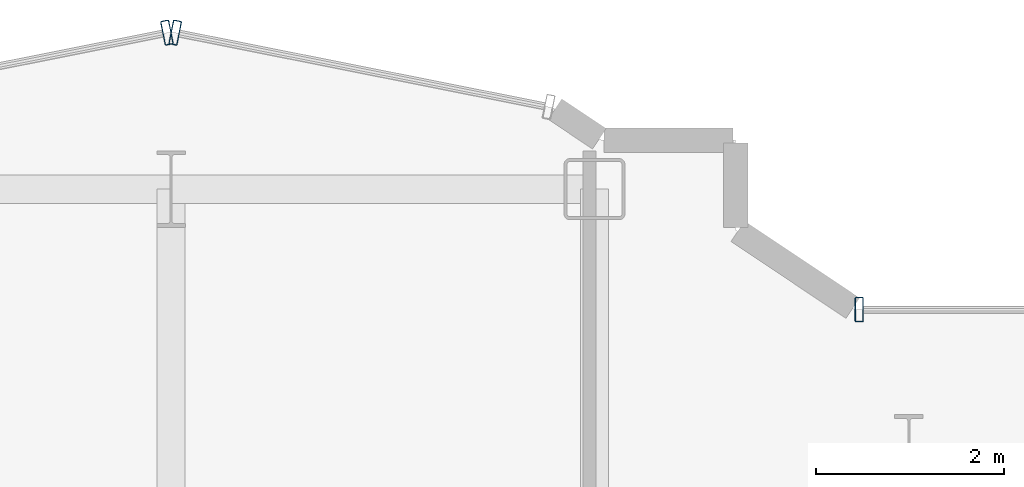
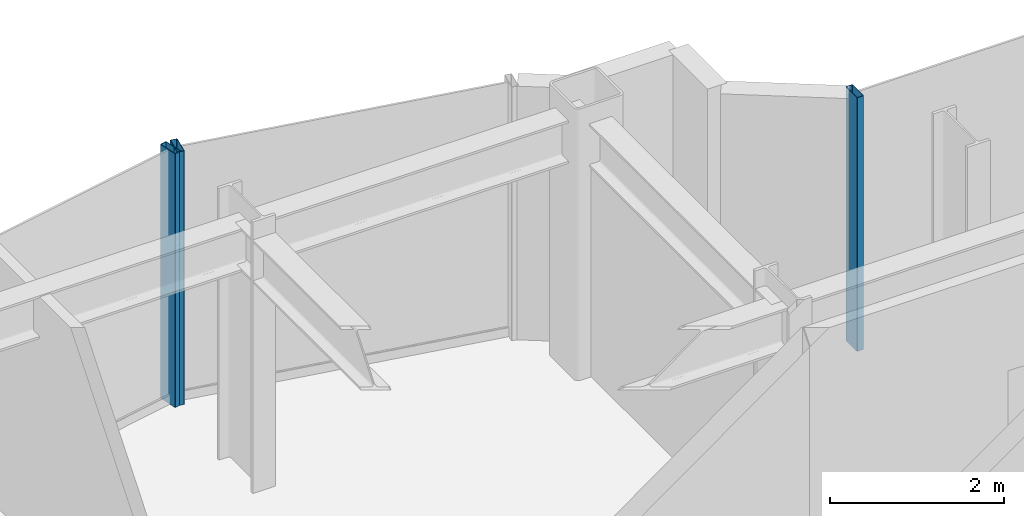
# One storey, part 10 of 20: 3 members, 3 elements without a shape of their own.
"""IFC4 building model written with IfcOpenShell, lengths in metres."""

from ifc_helpers import new_model, si_unit, direction, frame, origin, origin_2d, place, context, subcontext, project, spatial, hollow_rectangle, extrude, source, transform, mapped, material, layer, layer_set, material_profile, profile_set, type_object, element, aggregate, save


model = new_model("IFC4")

# Units and contexts
model_context = context("Model", 3, precision=1e-05, world=origin(), true_north=direction((0.0, 1.0)))
body_context = subcontext(model_context, "Body", "Model", "MODEL_VIEW")
ifc_project = project(units=[si_unit("LENGTHUNIT", "METRE"), si_unit("AREAUNIT", "SQUARE_METRE"), si_unit("VOLUMEUNIT", "CUBIC_METRE"), si_unit("PLANEANGLEUNIT", "RADIAN"), si_unit("MASSUNIT", "GRAM", prefix="KILO")], contexts=[model_context])

# Site, building, storey
site_placement = place(None, origin())
site = spatial("IfcSite", under=ifc_project, at=site_placement, CompositionType="ELEMENT")
building_placement = place(site_placement, origin())
building = spatial("IfcBuilding", under=site, at=building_placement, Name="Nefas-Gora Pilgrimage Tower", CompositionType="ELEMENT")
storey_placement = place(building_placement, frame((0.0, 0.0, 244.60009765625)))
storey = spatial("IfcBuildingStorey", under=building, at=storey_placement, Name="L61", CompositionType="ELEMENT", Elevation=244.60009765625)

# Curtain wall, member
ifc_material_1 = material(Name="Dark ceramic-fritted solar-control aluminium-glass curtain wall", Category="aluminium")
ifc_layer = layer(ifc_material_1, 0.219970703125)
ifc_layer_set = layer_set([ifc_layer], Name="Dark ceramic-fritted solar-control aluminium-glass curtain wall")
curtain_wall_type = type_object("IfcCurtainWallType", Name="CW-SYS-5", PredefinedType="NOTDEFINED", material=ifc_layer_set)
curtain_wall_1_placement = place(storey_placement, origin())
curtain_wall_1 = element("IfcCurtainWall", 1, at=curtain_wall_1_placement, inside=storey, type_object=curtain_wall_type, Name="L61 Unitised Curtain Wall CW5", PredefinedType="NOTDEFINED")
ifc_material_2 = material(Name="Anodised architectural aluminium", Category="aluminium")
ifc_material_profile = material_profile(ifc_material_2, hollow_rectangle(XDim=0.090087890625, YDim=0.260009765625, WallThickness=0.006103515625, InnerFilletRadius=0.006103515625, OuterFilletRadius=0.011962890625, at=origin_2d()), Name="ALU MULLION 90x260")
ifc_profile_set = profile_set([ifc_material_profile], Name="Anodised architectural aluminium")
member_type = type_object("IfcMemberType", Name="CWM-MUL-5", PredefinedType="MULLION", material=ifc_profile_set)
shared_shape = source(origin(), body_context, "Body", "SweptSolid", [
    extrude(hollow_rectangle(XDim=0.090087890625, YDim=0.260009765625, WallThickness=0.006103515625, InnerFilletRadius=0.006103515625, OuterFilletRadius=0.011962890625, at=origin_2d()), origin(), (0.0, 0.0, 1.0), 3.5498046875),
])
member_1_placement = place(storey_placement, frame((5.06298828125, 21.219970703125, 0.0), z_axis=(0.0, 0.0, 1.0), x_axis=(-1.0, 0.0, 0.0)))
member_1 = element("IfcMember", 2, at=member_1_placement, type_object=member_type, Name="CW5 Mullion 2", PredefinedType="MULLION", context=body_context, shape_type="MappedRepresentation", body=[
    mapped(shared_shape, transform((0.0, 0.0, 0.0), x_axis=(1.0, 0.0, 0.0), y_axis=(0.0, 1.0, 0.0), z_axis=(0.0, 0.0, 1.0), scale=1.0)),
])
aggregate(curtain_wall_1, [member_1])

curtain_wall_2_placement = place(storey_placement, origin())
curtain_wall_2 = element("IfcCurtainWall", 3, at=curtain_wall_2_placement, inside=storey, type_object=curtain_wall_type, Name="L61 Unitised Curtain Wall CW5", PredefinedType="NOTDEFINED")
member_2_placement = place(storey_placement, frame((-2.205810546875, 24.16357421875, 0.0), z_axis=(0.0, 0.0, 1.0), x_axis=(-0.980782896852, 0.195102304554, 0.0)))
member_2 = element("IfcMember", 4, at=member_2_placement, type_object=member_type, Name="CW5 Mullion 2", PredefinedType="MULLION", context=body_context, shape_type="MappedRepresentation", body=[
    mapped(shared_shape, transform((0.0, 0.0, 0.0), x_axis=(1.0, 0.0, 0.0), y_axis=(0.0, 1.0, 0.0), z_axis=(0.0, 0.0, 1.0), scale=1.0)),
])
aggregate(curtain_wall_2, [member_2])

curtain_wall_3_placement = place(storey_placement, origin())
curtain_wall_3 = element("IfcCurtainWall", 5, at=curtain_wall_3_placement, inside=storey, type_object=curtain_wall_type, Name="L61 Unitised Curtain Wall CW5", PredefinedType="NOTDEFINED")
member_3_placement = place(storey_placement, frame((-2.294189453125, 24.16357421875, 0.0), z_axis=(0.0, 0.0, 1.0), x_axis=(-0.980782896852, -0.195102304554, 0.0)))
member_3 = element("IfcMember", 6, at=member_3_placement, type_object=member_type, Name="CW5 Mullion 1", PredefinedType="MULLION", context=body_context, shape_type="MappedRepresentation", body=[
    mapped(shared_shape, transform((0.0, 0.0, 0.0), x_axis=(1.0, 0.0, 0.0), y_axis=(0.0, 1.0, 0.0), z_axis=(0.0, 0.0, 1.0), scale=1.0)),
])
aggregate(curtain_wall_3, [member_3])

save(model, "model.ifc")
